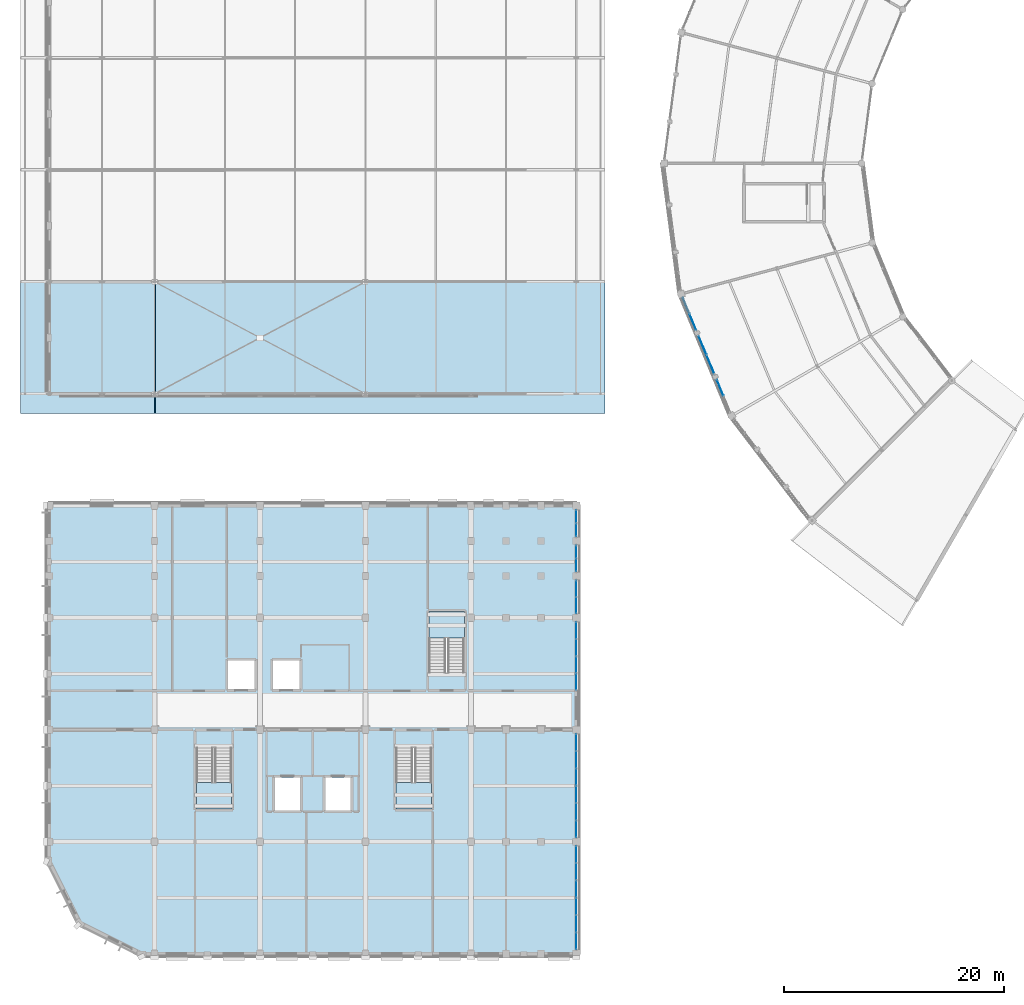
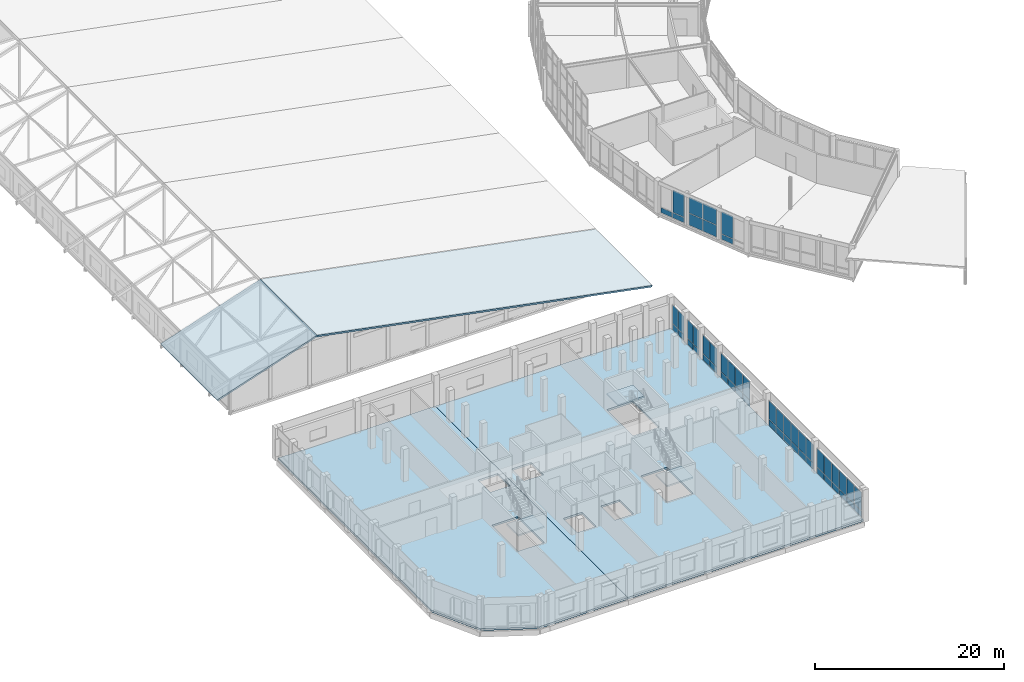
# One storey, part 135 of 200: 53 plates, 7 slabs, 12 elements without a shape of their own.
"""IFC4 building model written with IfcOpenShell, lengths in metres."""

from ifc_helpers import new_model, si_unit, direction, frame, origin, origin_2d, place, context, subcontext, project, spatial, polyline, rectangle, outline, extrude, material, layer, layer_set, type_object, element, aggregate, save


model = new_model("IFC4")

# Units and contexts
model_context = context("Model", 3, precision=1e-05, world=origin(), true_north=direction((0.0, 1.0)))
body_context = subcontext(model_context, "Body", "Model", "MODEL_VIEW")
ifc_project = project(units=[si_unit("LENGTHUNIT", "METRE"), si_unit("AREAUNIT", "SQUARE_METRE"), si_unit("VOLUMEUNIT", "CUBIC_METRE"), si_unit("PLANEANGLEUNIT", "RADIAN"), si_unit("MASSUNIT", "GRAM", prefix="KILO")], contexts=[model_context])

# Site, building, storey
site_placement = place(None, origin())
site = spatial("IfcSite", under=ifc_project, at=site_placement, CompositionType="ELEMENT")
building_placement = place(site_placement, origin())
building = spatial("IfcBuilding", under=site, at=building_placement, Name="Vondelvale Polytechnic", CompositionType="ELEMENT")
storey_placement = place(building_placement, frame((0.0, 0.0, 13.800048828125)))
storey = spatial("IfcBuildingStorey", under=building, at=storey_placement, Name="L03", CompositionType="ELEMENT", Elevation=13.800048828125)

# Curtain wall, plates
ifc_material_1 = material(Name="Anodised extruded aluminium 6063-T6", Category="aluminium")
curtain_wall_type_1 = type_object("IfcCurtainWallType", Name="CW-STUDIO-NORTH", PredefinedType="NOTDEFINED", material=ifc_material_1)
curtain_wall_1_placement = place(storey_placement, origin())
curtain_wall_1 = element("IfcCurtainWall", 1, at=curtain_wall_1_placement, inside=storey, type_object=curtain_wall_type_1, Name="L03 architectural curtain wall CW-01-025", PredefinedType="NOTDEFINED")
ifc_material_2 = material(Name="Double-glazed low-E insulated architectural glass", Category="glass")
ifc_layer_1 = layer(ifc_material_2, 0.028076171875)
ifc_layer_set_1 = layer_set([ifc_layer_1], Name="CW-PANEL-GLAZED")
plate_type_1 = type_object("IfcPlateType", Name="CW-PANEL-GLAZED", PredefinedType="CURTAIN_PANEL", material=ifc_layer_set_1)
plate_1_placement = place(storey_placement, frame((48.0, 1.162109375, 0.8798828125), z_axis=(0.0, 0.0, 1.0), x_axis=(0.0, 1.0, 0.0)))
plate_1 = element("IfcPlate", 2, at=plate_1_placement, type_object=plate_type_1, Name="CW-01-025 panel 1.2", PredefinedType="CURTAIN_PANEL", context=body_context, shape_type="SweptSolid", body=[
    extrude(rectangle(XDim=1.484130859375, YDim=0.028076171875, at=origin_2d()), origin(), (0.0, 0.0, 1.0), 2.360107421875),
])
plate_2_placement = place(storey_placement, frame((48.0, 2.7275390625, 0.8798828125), z_axis=(0.0, 0.0, 1.0), x_axis=(0.0, 1.0, 0.0)))
plate_2 = element("IfcPlate", 3, at=plate_2_placement, type_object=plate_type_1, Name="CW-01-025 panel 2.2", PredefinedType="CURTAIN_PANEL", context=body_context, shape_type="SweptSolid", body=[
    extrude(rectangle(XDim=1.5166015625, YDim=0.028076171875, at=origin_2d()), origin(), (0.0, 0.0, 1.0), 2.360107421875),
])
plate_3_placement = place(storey_placement, frame((48.0, 4.30908203125, 0.8798828125), z_axis=(0.0, 0.0, 1.0), x_axis=(0.0, 1.0, 0.0)))
plate_3 = element("IfcPlate", 4, at=plate_3_placement, type_object=plate_type_1, Name="CW-01-025 panel 3.2", PredefinedType="CURTAIN_PANEL", context=body_context, shape_type="SweptSolid", body=[
    extrude(rectangle(XDim=1.5166015625, YDim=0.028076171875, at=origin_2d()), origin(), (0.0, 0.0, 1.0), 2.360107421875),
])
plate_4_placement = place(storey_placement, frame((48.0, 5.890869140625, 0.8798828125), z_axis=(0.0, 0.0, 1.0), x_axis=(0.0, 1.0, 0.0)))
plate_4 = element("IfcPlate", 5, at=plate_4_placement, type_object=plate_type_1, Name="CW-01-025 panel 4.2", PredefinedType="CURTAIN_PANEL", context=body_context, shape_type="SweptSolid", body=[
    extrude(rectangle(XDim=1.5166015625, YDim=0.028076171875, at=origin_2d()), origin(), (0.0, 0.0, 1.0), 2.360107421875),
])
plate_5_placement = place(storey_placement, frame((48.0, 7.472412109375, 0.8798828125), z_axis=(0.0, 0.0, 1.0), x_axis=(0.0, 1.0, 0.0)))
plate_5 = element("IfcPlate", 6, at=plate_5_placement, type_object=plate_type_1, Name="CW-01-025 panel 5.2", PredefinedType="CURTAIN_PANEL", context=body_context, shape_type="SweptSolid", body=[
    extrude(rectangle(XDim=1.5166015625, YDim=0.028076171875, at=origin_2d()), origin(), (0.0, 0.0, 1.0), 2.360107421875),
])
plate_6_placement = place(storey_placement, frame((48.0, 9.037841796875, 0.8798828125), z_axis=(0.0, 0.0, 1.0), x_axis=(0.0, 1.0, 0.0)))
plate_6 = element("IfcPlate", 7, at=plate_6_placement, type_object=plate_type_1, Name="CW-01-025 panel 6.2", PredefinedType="CURTAIN_PANEL", context=body_context, shape_type="SweptSolid", body=[
    extrude(rectangle(XDim=1.484130859375, YDim=0.028076171875, at=origin_2d()), origin(), (0.0, 0.0, 1.0), 2.360107421875),
])

curtain_wall_2_placement = place(storey_placement, origin())
curtain_wall_2 = element("IfcCurtainWall", 8, at=curtain_wall_2_placement, inside=storey, type_object=curtain_wall_type_1, Name="L03 architectural curtain wall CW-01-026", PredefinedType="NOTDEFINED")
plate_7_placement = place(storey_placement, frame((48.0, 11.362060546875, 0.8798828125), z_axis=(0.0, 0.0, 1.0), x_axis=(0.0, 1.0, 0.0)))
plate_7 = element("IfcPlate", 9, at=plate_7_placement, type_object=plate_type_1, Name="CW-01-026 panel 1.2", PredefinedType="CURTAIN_PANEL", context=body_context, shape_type="SweptSolid", body=[
    extrude(rectangle(XDim=1.484130859375, YDim=0.028076171875, at=origin_2d()), origin(), (0.0, 0.0, 1.0), 2.360107421875),
])
plate_8_placement = place(storey_placement, frame((48.0, 12.927490234375, 0.8798828125), z_axis=(0.0, 0.0, 1.0), x_axis=(0.0, 1.0, 0.0)))
plate_8 = element("IfcPlate", 10, at=plate_8_placement, type_object=plate_type_1, Name="CW-01-026 panel 2.2", PredefinedType="CURTAIN_PANEL", context=body_context, shape_type="SweptSolid", body=[
    extrude(rectangle(XDim=1.5166015625, YDim=0.028076171875, at=origin_2d()), origin(), (0.0, 0.0, 1.0), 2.360107421875),
])
plate_9_placement = place(storey_placement, frame((48.0, 14.50927734375, 0.8798828125), z_axis=(0.0, 0.0, 1.0), x_axis=(0.0, 1.0, 0.0)))
plate_9 = element("IfcPlate", 11, at=plate_9_placement, type_object=plate_type_1, Name="CW-01-026 panel 3.2", PredefinedType="CURTAIN_PANEL", context=body_context, shape_type="SweptSolid", body=[
    extrude(rectangle(XDim=1.5166015625, YDim=0.028076171875, at=origin_2d()), origin(), (0.0, 0.0, 1.0), 2.360107421875),
])
plate_10_placement = place(storey_placement, frame((48.0, 16.0908203125, 0.8798828125), z_axis=(0.0, 0.0, 1.0), x_axis=(0.0, 1.0, 0.0)))
plate_10 = element("IfcPlate", 12, at=plate_10_placement, type_object=plate_type_1, Name="CW-01-026 panel 4.2", PredefinedType="CURTAIN_PANEL", context=body_context, shape_type="SweptSolid", body=[
    extrude(rectangle(XDim=1.5166015625, YDim=0.028076171875, at=origin_2d()), origin(), (0.0, 0.0, 1.0), 2.360107421875),
])
plate_11_placement = place(storey_placement, frame((48.0, 17.672607421875, 0.8798828125), z_axis=(0.0, 0.0, 1.0), x_axis=(0.0, 1.0, 0.0)))
plate_11 = element("IfcPlate", 13, at=plate_11_placement, type_object=plate_type_1, Name="CW-01-026 panel 5.2", PredefinedType="CURTAIN_PANEL", context=body_context, shape_type="SweptSolid", body=[
    extrude(rectangle(XDim=1.5166015625, YDim=0.028076171875, at=origin_2d()), origin(), (0.0, 0.0, 1.0), 2.360107421875),
])
plate_12_placement = place(storey_placement, frame((48.0, 19.238037109375, 0.8798828125), z_axis=(0.0, 0.0, 1.0), x_axis=(0.0, 1.0, 0.0)))
plate_12 = element("IfcPlate", 14, at=plate_12_placement, type_object=plate_type_1, Name="CW-01-026 panel 6.2", PredefinedType="CURTAIN_PANEL", context=body_context, shape_type="SweptSolid", body=[
    extrude(rectangle(XDim=1.484130859375, YDim=0.028076171875, at=origin_2d()), origin(), (0.0, 0.0, 1.0), 2.360107421875),
])

curtain_wall_3_placement = place(storey_placement, origin())
curtain_wall_3 = element("IfcCurtainWall", 15, at=curtain_wall_3_placement, inside=storey, type_object=curtain_wall_type_1, Name="L03 architectural curtain wall CW-01-027", PredefinedType="NOTDEFINED")
plate_13_placement = place(storey_placement, frame((48.0, 24.766357421875, 0.8798828125), z_axis=(0.0, 0.0, 1.0), x_axis=(0.0, 1.0, 0.0)))
plate_13 = element("IfcPlate", 16, at=plate_13_placement, type_object=plate_type_1, Name="CW-01-027 panel 1.2", PredefinedType="CURTAIN_PANEL", context=body_context, shape_type="SweptSolid", body=[
    extrude(rectangle(XDim=1.472412109375, YDim=0.028076171875, at=origin_2d()), origin(), (0.0, 0.0, 1.0), 2.360107421875),
])
plate_14_placement = place(storey_placement, frame((48.0, 26.320068359375, 0.8798828125), z_axis=(0.0, 0.0, 1.0), x_axis=(0.0, 1.0, 0.0)))
plate_14 = element("IfcPlate", 17, at=plate_14_placement, type_object=plate_type_1, Name="CW-01-027 panel 2.2", PredefinedType="CURTAIN_PANEL", context=body_context, shape_type="SweptSolid", body=[
    extrude(rectangle(XDim=1.5048828125, YDim=0.028076171875, at=origin_2d()), origin(), (0.0, 0.0, 1.0), 2.360107421875),
])
plate_15_placement = place(storey_placement, frame((48.0, 27.889892578125, 0.8798828125), z_axis=(0.0, 0.0, 1.0), x_axis=(0.0, 1.0, 0.0)))
plate_15 = element("IfcPlate", 18, at=plate_15_placement, type_object=plate_type_1, Name="CW-01-027 panel 3.2", PredefinedType="CURTAIN_PANEL", context=body_context, shape_type="SweptSolid", body=[
    extrude(rectangle(XDim=1.5048828125, YDim=0.028076171875, at=origin_2d()), origin(), (0.0, 0.0, 1.0), 2.360107421875),
])
plate_16_placement = place(storey_placement, frame((48.0, 29.44384765625, 0.8798828125), z_axis=(0.0, 0.0, 1.0), x_axis=(0.0, 1.0, 0.0)))
plate_16 = element("IfcPlate", 19, at=plate_16_placement, type_object=plate_type_1, Name="CW-01-027 panel 4.2", PredefinedType="CURTAIN_PANEL", context=body_context, shape_type="SweptSolid", body=[
    extrude(rectangle(XDim=1.472412109375, YDim=0.028076171875, at=origin_2d()), origin(), (0.0, 0.0, 1.0), 2.360107421875),
])

curtain_wall_4_placement = place(storey_placement, origin())
curtain_wall_4 = element("IfcCurtainWall", 20, at=curtain_wall_4_placement, inside=storey, type_object=curtain_wall_type_1, Name="L03 architectural curtain wall CW-01-028", PredefinedType="NOTDEFINED")
plate_17_placement = place(storey_placement, frame((48.0, 31.74365234375, 0.8798828125), z_axis=(0.0, 0.0, 1.0), x_axis=(0.0, 1.0, 0.0)))
plate_17 = element("IfcPlate", 21, at=plate_17_placement, type_object=plate_type_1, Name="CW-01-028 panel 1.2", PredefinedType="CURTAIN_PANEL", context=body_context, shape_type="SweptSolid", body=[
    extrude(rectangle(XDim=1.447509765625, YDim=0.028076171875, at=origin_2d()), origin(), (0.0, 0.0, 1.0), 2.360107421875),
])
plate_18_placement = place(storey_placement, frame((48.0, 33.25634765625, 0.8798828125), z_axis=(0.0, 0.0, 1.0), x_axis=(0.0, 1.0, 0.0)))
plate_18 = element("IfcPlate", 22, at=plate_18_placement, type_object=plate_type_1, Name="CW-01-028 panel 2.2", PredefinedType="CURTAIN_PANEL", context=body_context, shape_type="SweptSolid", body=[
    extrude(rectangle(XDim=1.447509765625, YDim=0.028076171875, at=origin_2d()), origin(), (0.0, 0.0, 1.0), 2.360107421875),
])

curtain_wall_5_placement = place(storey_placement, origin())
curtain_wall_5 = element("IfcCurtainWall", 23, at=curtain_wall_5_placement, inside=storey, type_object=curtain_wall_type_1, Name="L03 architectural curtain wall CW-01-029", PredefinedType="NOTDEFINED")
plate_19_placement = place(storey_placement, frame((48.0, 35.393798828125, 0.8798828125), z_axis=(0.0, 0.0, 1.0), x_axis=(0.0, 1.0, 0.0)))
plate_19 = element("IfcPlate", 24, at=plate_19_placement, type_object=plate_type_1, Name="CW-01-029 panel 1.2", PredefinedType="CURTAIN_PANEL", context=body_context, shape_type="SweptSolid", body=[
    extrude(rectangle(XDim=1.1474609375, YDim=0.028076171875, at=origin_2d()), origin(), (0.0, 0.0, 1.0), 2.360107421875),
])
plate_20_placement = place(storey_placement, frame((48.0, 36.606201171875, 0.8798828125), z_axis=(0.0, 0.0, 1.0), x_axis=(0.0, 1.0, 0.0)))
plate_20 = element("IfcPlate", 25, at=plate_20_placement, type_object=plate_type_1, Name="CW-01-029 panel 2.2", PredefinedType="CURTAIN_PANEL", context=body_context, shape_type="SweptSolid", body=[
    extrude(rectangle(XDim=1.1474609375, YDim=0.028076171875, at=origin_2d()), origin(), (0.0, 0.0, 1.0), 2.360107421875),
])

curtain_wall_6_placement = place(storey_placement, origin())
curtain_wall_6 = element("IfcCurtainWall", 26, at=curtain_wall_6_placement, inside=storey, type_object=curtain_wall_type_1, Name="L03 architectural curtain wall CW-01-030", PredefinedType="NOTDEFINED")
plate_21_placement = place(storey_placement, frame((48.0, 38.59375, 0.8798828125), z_axis=(0.0, 0.0, 1.0), x_axis=(0.0, 1.0, 0.0)))
plate_21 = element("IfcPlate", 27, at=plate_21_placement, type_object=plate_type_1, Name="CW-01-030 panel 1.2", PredefinedType="CURTAIN_PANEL", context=body_context, shape_type="SweptSolid", body=[
    extrude(rectangle(XDim=1.1474609375, YDim=0.028076171875, at=origin_2d()), origin(), (0.0, 0.0, 1.0), 2.360107421875),
])
plate_22_placement = place(storey_placement, frame((48.0, 39.80615234375, 0.8798828125), z_axis=(0.0, 0.0, 1.0), x_axis=(0.0, 1.0, 0.0)))
plate_22 = element("IfcPlate", 28, at=plate_22_placement, type_object=plate_type_1, Name="CW-01-030 panel 2.2", PredefinedType="CURTAIN_PANEL", context=body_context, shape_type="SweptSolid", body=[
    extrude(rectangle(XDim=1.1474609375, YDim=0.028076171875, at=origin_2d()), origin(), (0.0, 0.0, 1.0), 2.360107421875),
])

# Curtain wall, plate
ifc_material_3 = material(Name="Glulam GL18 structural Tasmanian oak (fb = 42 MPa)", Category="wood")
curtain_wall_type_2 = type_object("IfcCurtainWallType", Name="CW-RING-OUTER", PredefinedType="NOTDEFINED", material=ifc_material_3)
curtain_wall_7_placement = place(storey_placement, origin())
curtain_wall_7 = element("IfcCurtainWall", 29, at=curtain_wall_7_placement, inside=storey, type_object=curtain_wall_type_2, Name="L03 architectural curtain wall CW-04-288", PredefinedType="NOTDEFINED")
plate_23_placement = place(storey_placement, frame((58.622802734375, 57.546630859375, 0.780029296875), z_axis=(0.0, 0.0, 1.0), x_axis=(0.382677394529, -0.923882033442, 0.0)))
plate_23 = element("IfcPlate", 30, at=plate_23_placement, type_object=plate_type_1, Name="CW-04-288 panel 2.2", PredefinedType="CURTAIN_PANEL", context=body_context, shape_type="SweptSolid", body=[
    extrude(rectangle(XDim=1.530029296875, YDim=0.028076171875, at=origin_2d()), origin(), (0.0, 0.0, 1.0), 2.8798828125),
])

# Curtain wall, plates
curtain_wall_8_placement = place(storey_placement, origin())
curtain_wall_8 = element("IfcCurtainWall", 31, at=curtain_wall_8_placement, inside=storey, type_object=curtain_wall_type_2, Name="L03 architectural curtain wall CW-04-289", PredefinedType="NOTDEFINED")
plate_24_placement = place(storey_placement, frame((59.506591796875, 55.412841796875, 1.6298828125), z_axis=(0.0, 0.0, 1.0), x_axis=(0.382694599123, -0.92387490701, 0.0)))
plate_24 = element("IfcPlate", 32, at=plate_24_placement, type_object=plate_type_1, Name="CW-04-289 panel 1.2", PredefinedType="CURTAIN_PANEL", context=body_context, shape_type="SweptSolid", body=[
    extrude(rectangle(XDim=1.80908203125, YDim=0.028076171875, at=origin_2d()), origin(), (0.0, 0.0, 1.0), 2.030029296875),
])
plate_25_placement = place(storey_placement, frame((60.2236328125, 53.681396484375, 1.6298828125), z_axis=(0.0, 0.0, 1.0), x_axis=(0.382694599123, -0.92387490701, 0.0)))
plate_25 = element("IfcPlate", 33, at=plate_25_placement, type_object=plate_type_1, Name="CW-04-289 panel 2.2", PredefinedType="CURTAIN_PANEL", context=body_context, shape_type="SweptSolid", body=[
    extrude(rectangle(XDim=1.80908203125, YDim=0.028076171875, at=origin_2d()), origin(), (0.0, 0.0, 1.0), 2.030029296875),
])

# Curtain wall, plate
curtain_wall_9_placement = place(storey_placement, origin())
curtain_wall_9 = element("IfcCurtainWall", 34, at=curtain_wall_9_placement, inside=storey, type_object=curtain_wall_type_2, Name="L03 architectural curtain wall CW-04-290", PredefinedType="NOTDEFINED")
plate_26_placement = place(storey_placement, frame((61.107421875, 51.5478515625, 0.780029296875), z_axis=(0.0, 0.0, 1.0), x_axis=(0.382677394529, -0.923882033442, 0.0)))
plate_26 = element("IfcPlate", 35, at=plate_26_placement, type_object=plate_type_1, Name="CW-04-290 panel 1.2", PredefinedType="CURTAIN_PANEL", context=body_context, shape_type="SweptSolid", body=[
    extrude(rectangle(XDim=1.530029296875, YDim=0.028076171875, at=origin_2d()), origin(), (0.0, 0.0, 1.0), 2.8798828125),
])

# Plate
ifc_material_4 = material(Name="Engineered Tasmanian oak studio and bridge joinery")
ifc_layer_2 = layer(ifc_material_4, 0.0419921875)
ifc_layer_set_2 = layer_set([ifc_layer_2], Name="CW-PANEL-OAK")
plate_type_2 = type_object("IfcPlateType", Name="CW-PANEL-OAK", PredefinedType="CURTAIN_PANEL", material=ifc_layer_set_2)
plate_27_placement = place(storey_placement, frame((59.506591796875, 55.412841796875, 0.06005859375), z_axis=(0.0, 0.0, 1.0), x_axis=(0.382694599123, -0.92387490701, 0.0)))
plate_27 = element("IfcPlate", 36, at=plate_27_placement, type_object=plate_type_2, Name="CW-04-289 panel 1.1", PredefinedType="CURTAIN_PANEL", context=body_context, shape_type="SweptSolid", body=[
    extrude(rectangle(XDim=1.80908203125, YDim=0.0419921875, at=origin_2d()), origin(), (0.0, 0.0, 1.0), 1.510009765625),
])

plate_28_placement = place(storey_placement, frame((60.2236328125, 53.681396484375, 0.06005859375), z_axis=(0.0, 0.0, 1.0), x_axis=(0.382694599123, -0.92387490701, 0.0)))
plate_28 = element("IfcPlate", 37, at=plate_28_placement, type_object=plate_type_2, Name="CW-04-289 panel 2.1", PredefinedType="CURTAIN_PANEL", context=body_context, shape_type="SweptSolid", body=[
    extrude(rectangle(XDim=1.80908203125, YDim=0.0419921875, at=origin_2d()), origin(), (0.0, 0.0, 1.0), 1.510009765625),
])

aggregate(curtain_wall_8, [plate_27, plate_24, plate_28, plate_25])

ifc_material_5 = material(Name="Kiln-fired architectural terracotta", Category="masonry")
ifc_layer_3 = layer(ifc_material_5, 0.035888671875)
ifc_layer_set_3 = layer_set([ifc_layer_3], Name="CW-PANEL-SPANDREL")
plate_type_3 = type_object("IfcPlateType", Name="CW-PANEL-SPANDREL", PredefinedType="CURTAIN_PANEL", material=ifc_layer_set_3)
plate_29_placement = place(storey_placement, frame((48.0, 1.162109375, 0.06005859375), z_axis=(0.0, 0.0, 1.0), x_axis=(0.0, 1.0, 0.0)))
plate_29 = element("IfcPlate", 38, at=plate_29_placement, type_object=plate_type_3, Name="CW-01-025 panel 1.1", PredefinedType="CURTAIN_PANEL", context=body_context, shape_type="SweptSolid", body=[
    extrude(rectangle(XDim=1.484130859375, YDim=0.035888671875, at=origin_2d()), origin(), (0.0, 0.0, 1.0), 0.760009765625),
])

plate_30_placement = place(storey_placement, frame((48.0, 2.7275390625, 0.06005859375), z_axis=(0.0, 0.0, 1.0), x_axis=(0.0, 1.0, 0.0)))
plate_30 = element("IfcPlate", 39, at=plate_30_placement, type_object=plate_type_3, Name="CW-01-025 panel 2.1", PredefinedType="CURTAIN_PANEL", context=body_context, shape_type="SweptSolid", body=[
    extrude(rectangle(XDim=1.5166015625, YDim=0.035888671875, at=origin_2d()), origin(), (0.0, 0.0, 1.0), 0.760009765625),
])

plate_31_placement = place(storey_placement, frame((48.0, 4.30908203125, 0.06005859375), z_axis=(0.0, 0.0, 1.0), x_axis=(0.0, 1.0, 0.0)))
plate_31 = element("IfcPlate", 40, at=plate_31_placement, type_object=plate_type_3, Name="CW-01-025 panel 3.1", PredefinedType="CURTAIN_PANEL", context=body_context, shape_type="SweptSolid", body=[
    extrude(rectangle(XDim=1.5166015625, YDim=0.035888671875, at=origin_2d()), origin(), (0.0, 0.0, 1.0), 0.760009765625),
])

plate_32_placement = place(storey_placement, frame((48.0, 5.890869140625, 0.06005859375), z_axis=(0.0, 0.0, 1.0), x_axis=(0.0, 1.0, 0.0)))
plate_32 = element("IfcPlate", 41, at=plate_32_placement, type_object=plate_type_3, Name="CW-01-025 panel 4.1", PredefinedType="CURTAIN_PANEL", context=body_context, shape_type="SweptSolid", body=[
    extrude(rectangle(XDim=1.5166015625, YDim=0.035888671875, at=origin_2d()), origin(), (0.0, 0.0, 1.0), 0.760009765625),
])

plate_33_placement = place(storey_placement, frame((48.0, 7.472412109375, 0.06005859375), z_axis=(0.0, 0.0, 1.0), x_axis=(0.0, 1.0, 0.0)))
plate_33 = element("IfcPlate", 42, at=plate_33_placement, type_object=plate_type_3, Name="CW-01-025 panel 5.1", PredefinedType="CURTAIN_PANEL", context=body_context, shape_type="SweptSolid", body=[
    extrude(rectangle(XDim=1.5166015625, YDim=0.035888671875, at=origin_2d()), origin(), (0.0, 0.0, 1.0), 0.760009765625),
])

plate_34_placement = place(storey_placement, frame((48.0, 9.037841796875, 0.06005859375), z_axis=(0.0, 0.0, 1.0), x_axis=(0.0, 1.0, 0.0)))
plate_34 = element("IfcPlate", 43, at=plate_34_placement, type_object=plate_type_3, Name="CW-01-025 panel 6.1", PredefinedType="CURTAIN_PANEL", context=body_context, shape_type="SweptSolid", body=[
    extrude(rectangle(XDim=1.484130859375, YDim=0.035888671875, at=origin_2d()), origin(), (0.0, 0.0, 1.0), 0.760009765625),
])

aggregate(curtain_wall_1, [plate_29, plate_1, plate_30, plate_2, plate_31, plate_3, plate_32, plate_4, plate_33, plate_5, plate_34, plate_6])

plate_35_placement = place(storey_placement, frame((48.0, 11.362060546875, 0.06005859375), z_axis=(0.0, 0.0, 1.0), x_axis=(0.0, 1.0, 0.0)))
plate_35 = element("IfcPlate", 44, at=plate_35_placement, type_object=plate_type_3, Name="CW-01-026 panel 1.1", PredefinedType="CURTAIN_PANEL", context=body_context, shape_type="SweptSolid", body=[
    extrude(rectangle(XDim=1.484130859375, YDim=0.035888671875, at=origin_2d()), origin(), (0.0, 0.0, 1.0), 0.760009765625),
])

plate_36_placement = place(storey_placement, frame((48.0, 12.927490234375, 0.06005859375), z_axis=(0.0, 0.0, 1.0), x_axis=(0.0, 1.0, 0.0)))
plate_36 = element("IfcPlate", 45, at=plate_36_placement, type_object=plate_type_3, Name="CW-01-026 panel 2.1", PredefinedType="CURTAIN_PANEL", context=body_context, shape_type="SweptSolid", body=[
    extrude(rectangle(XDim=1.5166015625, YDim=0.035888671875, at=origin_2d()), origin(), (0.0, 0.0, 1.0), 0.760009765625),
])

plate_37_placement = place(storey_placement, frame((48.0, 14.50927734375, 0.06005859375), z_axis=(0.0, 0.0, 1.0), x_axis=(0.0, 1.0, 0.0)))
plate_37 = element("IfcPlate", 46, at=plate_37_placement, type_object=plate_type_3, Name="CW-01-026 panel 3.1", PredefinedType="CURTAIN_PANEL", context=body_context, shape_type="SweptSolid", body=[
    extrude(rectangle(XDim=1.5166015625, YDim=0.035888671875, at=origin_2d()), origin(), (0.0, 0.0, 1.0), 0.760009765625),
])

plate_38_placement = place(storey_placement, frame((48.0, 16.0908203125, 0.06005859375), z_axis=(0.0, 0.0, 1.0), x_axis=(0.0, 1.0, 0.0)))
plate_38 = element("IfcPlate", 47, at=plate_38_placement, type_object=plate_type_3, Name="CW-01-026 panel 4.1", PredefinedType="CURTAIN_PANEL", context=body_context, shape_type="SweptSolid", body=[
    extrude(rectangle(XDim=1.5166015625, YDim=0.035888671875, at=origin_2d()), origin(), (0.0, 0.0, 1.0), 0.760009765625),
])

plate_39_placement = place(storey_placement, frame((48.0, 17.672607421875, 0.06005859375), z_axis=(0.0, 0.0, 1.0), x_axis=(0.0, 1.0, 0.0)))
plate_39 = element("IfcPlate", 48, at=plate_39_placement, type_object=plate_type_3, Name="CW-01-026 panel 5.1", PredefinedType="CURTAIN_PANEL", context=body_context, shape_type="SweptSolid", body=[
    extrude(rectangle(XDim=1.5166015625, YDim=0.035888671875, at=origin_2d()), origin(), (0.0, 0.0, 1.0), 0.760009765625),
])

plate_40_placement = place(storey_placement, frame((48.0, 19.238037109375, 0.06005859375), z_axis=(0.0, 0.0, 1.0), x_axis=(0.0, 1.0, 0.0)))
plate_40 = element("IfcPlate", 49, at=plate_40_placement, type_object=plate_type_3, Name="CW-01-026 panel 6.1", PredefinedType="CURTAIN_PANEL", context=body_context, shape_type="SweptSolid", body=[
    extrude(rectangle(XDim=1.484130859375, YDim=0.035888671875, at=origin_2d()), origin(), (0.0, 0.0, 1.0), 0.760009765625),
])

aggregate(curtain_wall_2, [plate_35, plate_7, plate_36, plate_8, plate_37, plate_9, plate_38, plate_10, plate_39, plate_11, plate_40, plate_12])

plate_41_placement = place(storey_placement, frame((48.0, 24.766357421875, 0.06005859375), z_axis=(0.0, 0.0, 1.0), x_axis=(0.0, 1.0, 0.0)))
plate_41 = element("IfcPlate", 50, at=plate_41_placement, type_object=plate_type_3, Name="CW-01-027 panel 1.1", PredefinedType="CURTAIN_PANEL", context=body_context, shape_type="SweptSolid", body=[
    extrude(rectangle(XDim=1.472412109375, YDim=0.035888671875, at=origin_2d()), origin(), (0.0, 0.0, 1.0), 0.760009765625),
])

plate_42_placement = place(storey_placement, frame((48.0, 26.320068359375, 0.06005859375), z_axis=(0.0, 0.0, 1.0), x_axis=(0.0, 1.0, 0.0)))
plate_42 = element("IfcPlate", 51, at=plate_42_placement, type_object=plate_type_3, Name="CW-01-027 panel 2.1", PredefinedType="CURTAIN_PANEL", context=body_context, shape_type="SweptSolid", body=[
    extrude(rectangle(XDim=1.5048828125, YDim=0.035888671875, at=origin_2d()), origin(), (0.0, 0.0, 1.0), 0.760009765625),
])

plate_43_placement = place(storey_placement, frame((48.0, 27.889892578125, 0.06005859375), z_axis=(0.0, 0.0, 1.0), x_axis=(0.0, 1.0, 0.0)))
plate_43 = element("IfcPlate", 52, at=plate_43_placement, type_object=plate_type_3, Name="CW-01-027 panel 3.1", PredefinedType="CURTAIN_PANEL", context=body_context, shape_type="SweptSolid", body=[
    extrude(rectangle(XDim=1.5048828125, YDim=0.035888671875, at=origin_2d()), origin(), (0.0, 0.0, 1.0), 0.760009765625),
])

plate_44_placement = place(storey_placement, frame((48.0, 29.44384765625, 0.06005859375), z_axis=(0.0, 0.0, 1.0), x_axis=(0.0, 1.0, 0.0)))
plate_44 = element("IfcPlate", 53, at=plate_44_placement, type_object=plate_type_3, Name="CW-01-027 panel 4.1", PredefinedType="CURTAIN_PANEL", context=body_context, shape_type="SweptSolid", body=[
    extrude(rectangle(XDim=1.472412109375, YDim=0.035888671875, at=origin_2d()), origin(), (0.0, 0.0, 1.0), 0.760009765625),
])

aggregate(curtain_wall_3, [plate_41, plate_13, plate_42, plate_14, plate_43, plate_15, plate_44, plate_16])

plate_45_placement = place(storey_placement, frame((48.0, 31.74365234375, 0.06005859375), z_axis=(0.0, 0.0, 1.0), x_axis=(0.0, 1.0, 0.0)))
plate_45 = element("IfcPlate", 54, at=plate_45_placement, type_object=plate_type_3, Name="CW-01-028 panel 1.1", PredefinedType="CURTAIN_PANEL", context=body_context, shape_type="SweptSolid", body=[
    extrude(rectangle(XDim=1.447509765625, YDim=0.035888671875, at=origin_2d()), origin(), (0.0, 0.0, 1.0), 0.760009765625),
])

plate_46_placement = place(storey_placement, frame((48.0, 33.25634765625, 0.06005859375), z_axis=(0.0, 0.0, 1.0), x_axis=(0.0, 1.0, 0.0)))
plate_46 = element("IfcPlate", 55, at=plate_46_placement, type_object=plate_type_3, Name="CW-01-028 panel 2.1", PredefinedType="CURTAIN_PANEL", context=body_context, shape_type="SweptSolid", body=[
    extrude(rectangle(XDim=1.447509765625, YDim=0.035888671875, at=origin_2d()), origin(), (0.0, 0.0, 1.0), 0.760009765625),
])

aggregate(curtain_wall_4, [plate_45, plate_17, plate_46, plate_18])

plate_47_placement = place(storey_placement, frame((48.0, 35.393798828125, 0.06005859375), z_axis=(0.0, 0.0, 1.0), x_axis=(0.0, 1.0, 0.0)))
plate_47 = element("IfcPlate", 56, at=plate_47_placement, type_object=plate_type_3, Name="CW-01-029 panel 1.1", PredefinedType="CURTAIN_PANEL", context=body_context, shape_type="SweptSolid", body=[
    extrude(rectangle(XDim=1.1474609375, YDim=0.035888671875, at=origin_2d()), origin(), (0.0, 0.0, 1.0), 0.760009765625),
])

plate_48_placement = place(storey_placement, frame((48.0, 36.606201171875, 0.06005859375), z_axis=(0.0, 0.0, 1.0), x_axis=(0.0, 1.0, 0.0)))
plate_48 = element("IfcPlate", 57, at=plate_48_placement, type_object=plate_type_3, Name="CW-01-029 panel 2.1", PredefinedType="CURTAIN_PANEL", context=body_context, shape_type="SweptSolid", body=[
    extrude(rectangle(XDim=1.1474609375, YDim=0.035888671875, at=origin_2d()), origin(), (0.0, 0.0, 1.0), 0.760009765625),
])

aggregate(curtain_wall_5, [plate_47, plate_19, plate_48, plate_20])

plate_49_placement = place(storey_placement, frame((48.0, 38.59375, 0.06005859375), z_axis=(0.0, 0.0, 1.0), x_axis=(0.0, 1.0, 0.0)))
plate_49 = element("IfcPlate", 58, at=plate_49_placement, type_object=plate_type_3, Name="CW-01-030 panel 1.1", PredefinedType="CURTAIN_PANEL", context=body_context, shape_type="SweptSolid", body=[
    extrude(rectangle(XDim=1.1474609375, YDim=0.035888671875, at=origin_2d()), origin(), (0.0, 0.0, 1.0), 0.760009765625),
])

plate_50_placement = place(storey_placement, frame((48.0, 39.80615234375, 0.06005859375), z_axis=(0.0, 0.0, 1.0), x_axis=(0.0, 1.0, 0.0)))
plate_50 = element("IfcPlate", 59, at=plate_50_placement, type_object=plate_type_3, Name="CW-01-030 panel 2.1", PredefinedType="CURTAIN_PANEL", context=body_context, shape_type="SweptSolid", body=[
    extrude(rectangle(XDim=1.1474609375, YDim=0.035888671875, at=origin_2d()), origin(), (0.0, 0.0, 1.0), 0.760009765625),
])

aggregate(curtain_wall_6, [plate_49, plate_21, plate_50, plate_22])

plate_51_placement = place(storey_placement, frame((58.01220703125, 59.02001953125, 0.06005859375), z_axis=(0.0, 0.0, 1.0), x_axis=(0.382677394529, -0.923882033442, 0.0)))
plate_51 = element("IfcPlate", 60, at=plate_51_placement, type_object=plate_type_3, Name="CW-04-288 panel 1.1", PredefinedType="CURTAIN_PANEL", context=body_context, shape_type="SweptSolid", body=[
    extrude(rectangle(XDim=1.530029296875, YDim=0.035888671875, at=origin_2d()), origin(), (0.0, 0.0, 1.0), 0.659912109375),
])

plate_52_placement = place(storey_placement, frame((58.622802734375, 57.546630859375, 0.06005859375), z_axis=(0.0, 0.0, 1.0), x_axis=(0.382677394529, -0.923882033442, 0.0)))
plate_52 = element("IfcPlate", 61, at=plate_52_placement, type_object=plate_type_3, Name="CW-04-288 panel 2.1", PredefinedType="CURTAIN_PANEL", context=body_context, shape_type="SweptSolid", body=[
    extrude(rectangle(XDim=1.530029296875, YDim=0.035888671875, at=origin_2d()), origin(), (0.0, 0.0, 1.0), 0.659912109375),
])

aggregate(curtain_wall_7, [plate_51, plate_52, plate_23])

plate_53_placement = place(storey_placement, frame((61.107421875, 51.5478515625, 0.06005859375), z_axis=(0.0, 0.0, 1.0), x_axis=(0.382677394529, -0.923882033442, 0.0)))
plate_53 = element("IfcPlate", 62, at=plate_53_placement, type_object=plate_type_3, Name="CW-04-290 panel 1.1", PredefinedType="CURTAIN_PANEL", context=body_context, shape_type="SweptSolid", body=[
    extrude(rectangle(XDim=1.530029296875, YDim=0.035888671875, at=origin_2d()), origin(), (0.0, 0.0, 1.0), 0.659912109375),
])

aggregate(curtain_wall_9, [plate_53, plate_26])

# Slabs
ifc_material_6 = material(Name="Concrete N40 (f'c = 40 MPa)", Category="concrete")
ifc_layer_4 = layer(ifc_material_6, 0.25)
ifc_layer_set_4 = layer_set([ifc_layer_4], Name="SLB-LAB-250")
slab_type_1 = type_object("IfcSlabType", Name="SLB-LAB-250", PredefinedType="FLOOR", material=ifc_layer_set_4)
slab_1_placement = place(storey_placement, frame((0.0, 0.0, -0.25)))
element("IfcSlab", 63, at=slab_1_placement, inside=storey, type_object=slab_type_1, Name="L03 corner wing West slab", PredefinedType="FLOOR", context=body_context, shape_type="SweptSolid", body=[
    extrude(outline(polyline([(8.39990234375, 0.0), (19.199951171875, 0.0), (19.199951171875, 40.800048828125), (0.0, 40.800048828125), (0.0, 8.39990234375), (2.800048828125, 2.800048828125), (8.39990234375, 0.0)]), holes=[polyline([(13.39990234375, 18.75), (13.39990234375, 13.199951171875), (16.60009765625, 13.199951171875), (16.60009765625, 18.75), (13.39990234375, 18.75)]), polyline([(16.300048828125, 24.10009765625), (18.699951171875, 24.10009765625), (18.699951171875, 26.699951171875), (16.300048828125, 26.699951171875), (16.300048828125, 24.10009765625)])]), origin(), (0.0, 0.0, 1.0), 0.25),
])
slab_2_placement = place(storey_placement, frame((0.0, 0.0, -0.25)))
element("IfcSlab", 64, at=slab_2_placement, inside=storey, type_object=slab_type_1, Name="L03 corner wing East slab", PredefinedType="FLOOR", context=body_context, shape_type="SweptSolid", body=[
    extrude(outline(polyline([(19.199951171875, 0.0), (48.0, 0.0), (48.0, 40.800048828125), (19.199951171875, 40.800048828125), (19.199951171875, 0.0)]), holes=[polyline([(31.60009765625, 18.75), (31.60009765625, 13.199951171875), (34.800048828125, 13.199951171875), (34.800048828125, 18.75), (31.60009765625, 18.75)]), polyline([(37.800048828125, 25.60009765625), (37.800048828125, 31.14990234375), (34.60009765625, 31.14990234375), (34.60009765625, 25.60009765625), (37.800048828125, 25.60009765625)]), polyline([(20.550048828125, 13.050048828125), (22.85009765625, 13.050048828125), (22.85009765625, 16.050048828125), (20.550048828125, 16.050048828125), (20.550048828125, 13.050048828125)]), polyline([(25.14990234375, 13.050048828125), (27.449951171875, 13.050048828125), (27.449951171875, 16.050048828125), (25.14990234375, 16.050048828125), (25.14990234375, 13.050048828125)]), polyline([(20.39990234375, 24.10009765625), (22.800048828125, 24.10009765625), (22.800048828125, 26.699951171875), (20.39990234375, 26.699951171875), (20.39990234375, 24.10009765625)])]), origin(), (0.0, 0.0, 1.0), 0.25),
])

# Stair, slab
stair_type = type_object("IfcStairType", Name="STR-DOG-1500", PredefinedType="HALF_TURN_STAIR", material=ifc_material_6)
stair_1_placement = place(storey_placement, origin())
stair_1 = element("IfcStair", 65, at=stair_1_placement, inside=storey, type_object=stair_type, Name="L03 ST-03", PredefinedType="HALF_TURN_STAIR")
ifc_layer_5 = layer(ifc_material_6, 0.199951171875)
ifc_layer_set_5 = layer_set([ifc_layer_5], Name="SLB-LANDING-200")
slab_type_2 = type_object("IfcSlabType", Name="SLB-LANDING-200", PredefinedType="LANDING", material=ifc_layer_set_5)
slab_3_placement = place(storey_placement, frame((0.0, 0.0, 1.89990234375)))
slab_3 = element("IfcSlab", 66, at=slab_3_placement, type_object=slab_type_2, Name="ST-03 landing 1", PredefinedType="LANDING", context=body_context, shape_type="SweptSolid", body=[
    extrude(outline(polyline([(13.39990234375, 15.614990234375), (13.39990234375, 13.199951171875), (16.60009765625, 13.199951171875), (16.60009765625, 15.614990234375), (13.39990234375, 15.614990234375)])), origin(), (0.0, 0.0, 1.0), 0.199951171875),
])
aggregate(stair_1, [slab_3])

stair_2_placement = place(storey_placement, origin())
stair_2 = element("IfcStair", 67, at=stair_2_placement, inside=storey, type_object=stair_type, Name="L03 ST-04", PredefinedType="HALF_TURN_STAIR")
slab_4_placement = place(storey_placement, frame((0.0, 0.0, 1.89990234375)))
slab_4 = element("IfcSlab", 68, at=slab_4_placement, type_object=slab_type_2, Name="ST-04 landing 1", PredefinedType="LANDING", context=body_context, shape_type="SweptSolid", body=[
    extrude(outline(polyline([(31.60009765625, 15.614990234375), (31.60009765625, 13.199951171875), (34.800048828125, 13.199951171875), (34.800048828125, 15.614990234375), (31.60009765625, 15.614990234375)])), origin(), (0.0, 0.0, 1.0), 0.199951171875),
])
aggregate(stair_2, [slab_4])

stair_3_placement = place(storey_placement, origin())
stair_3 = element("IfcStair", 69, at=stair_3_placement, inside=storey, type_object=stair_type, Name="L03 ST-05", PredefinedType="HALF_TURN_STAIR")
slab_5_placement = place(storey_placement, frame((0.0, 0.0, 1.89990234375)))
slab_5 = element("IfcSlab", 70, at=slab_5_placement, type_object=slab_type_2, Name="ST-05 landing 1", PredefinedType="LANDING", context=body_context, shape_type="SweptSolid", body=[
    extrude(outline(polyline([(37.800048828125, 28.735107421875), (37.800048828125, 31.14990234375), (34.60009765625, 31.14990234375), (34.60009765625, 28.735107421875), (37.800048828125, 28.735107421875)])), origin(), (0.0, 0.0, 1.0), 0.199951171875),
])
aggregate(stair_3, [slab_5])

# Slabs
ifc_layer_6 = layer(ifc_material_6, 0.199951171875)
ifc_layer_set_6 = layer_set([ifc_layer_6], Name="SLB-ROOF-200")
slab_type_3 = type_object("IfcSlabType", Name="SLB-ROOF-200", PredefinedType="ROOF", material=ifc_layer_set_6)
slab_6_placement = place(storey_placement, frame((-2.60009765625, 49.199951171875, 3.333251953125), z_axis=(-0.316222070711, 0.0, 0.948685196467), x_axis=(0.948685196467, 0.0, 0.316222070711)))
element("IfcSlab", 71, at=slab_6_placement, inside=storey, type_object=slab_type_3, Name="Workshop West sloped roof slab bay 1", PredefinedType="ROOF", context=body_context, shape_type="SweptSolid", body=[
    extrude(outline(polyline([(0.0, 0.0), (12.860109294353505, 0.0), (12.860109294353505, 12.0), (0.0, 12.0), (0.0, 0.0)])), origin(), (0.0, 0.0, -1.0), 0.199951171875),
])
slab_7_placement = place(storey_placement, frame((9.60009765625, 49.199951171875, 7.39990234375), z_axis=(0.189222993838, 0.0, 0.981934141683), x_axis=(0.981934141683, 0.0, -0.189222993838)))
element("IfcSlab", 72, at=slab_7_placement, inside=storey, type_object=slab_type_3, Name="Workshop East sloped roof slab bay 1", PredefinedType="ROOF", context=body_context, shape_type="SweptSolid", body=[
    extrude(outline(polyline([(0.0, 0.0), (41.75432776960044, 0.0), (41.75432776960044, 12.0), (0.0, 12.0), (0.0, 0.0)])), origin(), (0.0, 0.0, -1.0), 0.199951171875),
])

save(model, "model.ifc")
